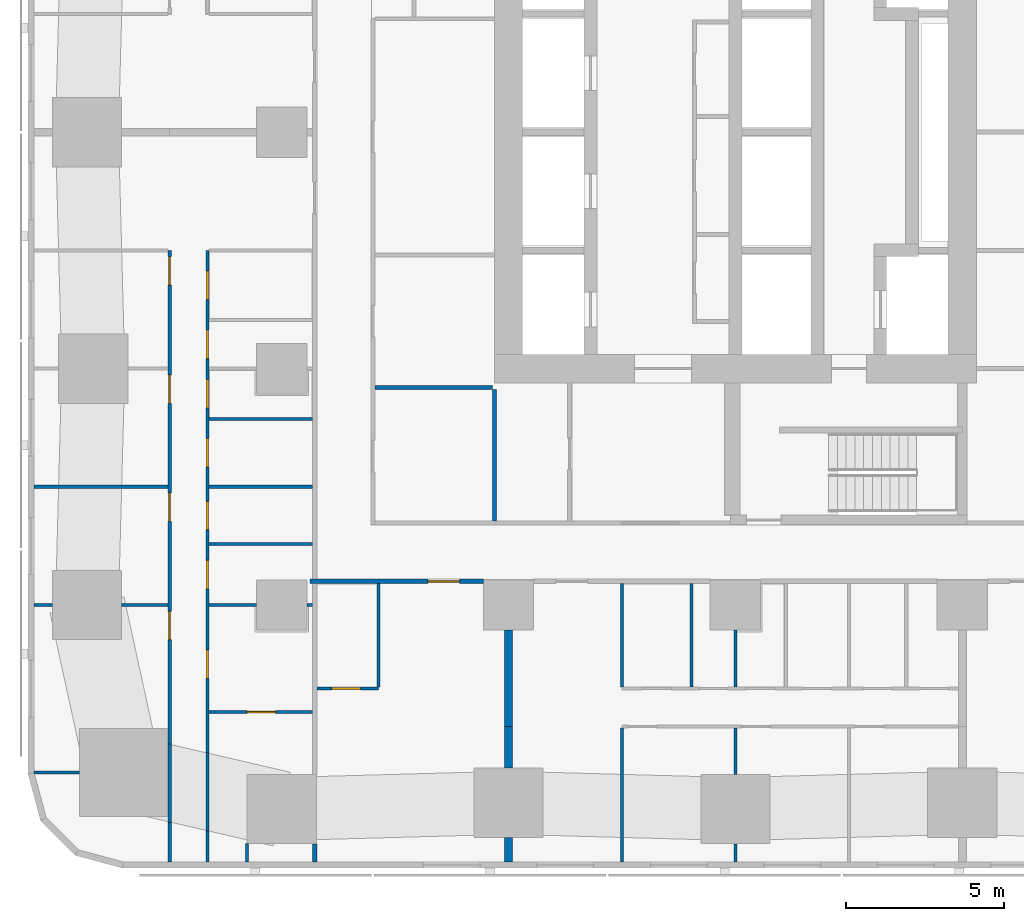
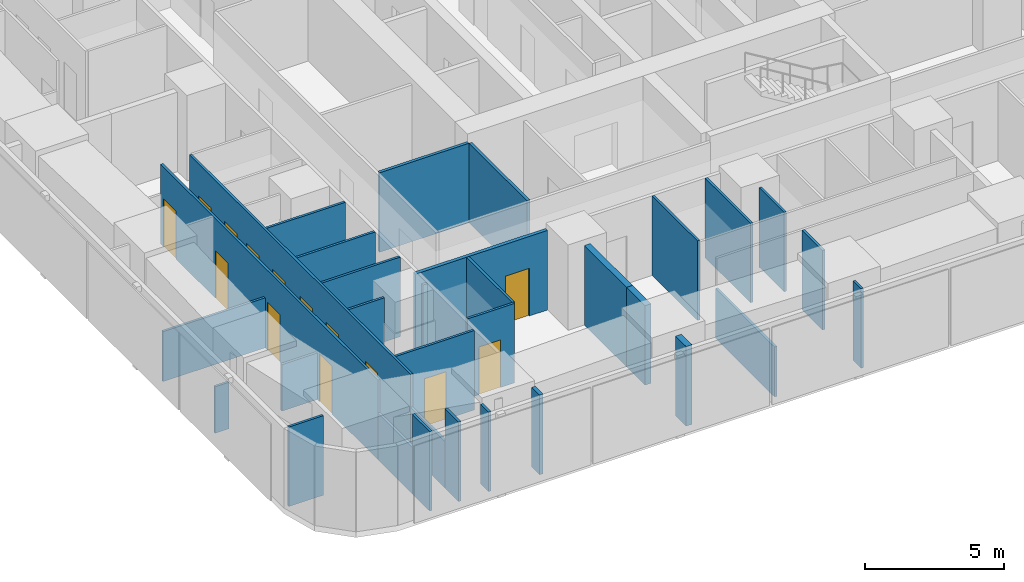
# One storey, part 2 of 15: 32 walls, 14 doors, 14 openings.
"""IFC4 building model written with IfcOpenShell, lengths in metres."""

from ifc_helpers import new_model, si_unit, direction, frame, frame_2d, origin, place, context, subcontext, project, spatial, rectangle, extrude, material, layer, layer_set, type_object, element, fill, save


model = new_model("IFC4")

# Units and contexts
model_context = context("Model", 3, precision=1e-05, world=origin(), true_north=direction((0.0, 1.0)))
body_context = subcontext(model_context, "Body", "Model", "MODEL_VIEW")
ifc_project = project(units=[si_unit("LENGTHUNIT", "METRE"), si_unit("AREAUNIT", "SQUARE_METRE"), si_unit("VOLUMEUNIT", "CUBIC_METRE"), si_unit("PLANEANGLEUNIT", "RADIAN"), si_unit("MASSUNIT", "GRAM", prefix="KILO")], contexts=[model_context])

# Site, building, storey
site_placement = place(None, origin())
site = spatial("IfcSite", under=ifc_project, at=site_placement, CompositionType="ELEMENT")
building_placement = place(site_placement, origin())
building = spatial("IfcBuilding", under=site, at=building_placement, Name="Sheger Commons Tower", CompositionType="ELEMENT")
storey_placement = place(building_placement, frame((0.0, 0.0, 81.64990234375)))
storey = spatial("IfcBuildingStorey", under=building, at=storey_placement, Name="L20", CompositionType="ELEMENT", Elevation=81.64990234375)

# Wall
ifc_material_1 = material(Name="Hollow concrete block masonry, skimmed both sides", Category="masonry")
ifc_layer_1 = layer(ifc_material_1, 0.14990234375)
ifc_layer_set_1 = layer_set([ifc_layer_1], Name="CORRIDOR WALL 150")
wall_type_1 = type_object("IfcWallType", Name="CORRIDOR WALL 150", PredefinedType="SOLIDWALL", material=ifc_layer_set_1)
wall_1_placement = place(storey_placement, frame((8.25, -0.64990234375, 0.0), z_axis=(0.0, 0.0, 1.0), x_axis=(0.0, 1.0, 0.0)))
element("IfcWall", 1, at=wall_1_placement, inside=storey, type_object=wall_type_1, Name="Corridor wall L20", PredefinedType="SOLIDWALL", context=body_context, shape_type="SweptSolid", body=[
    extrude(rectangle(XDim=0.573974609375, YDim=0.14990234375, at=frame_2d((0.287109375, 0.0))), origin(), (0.0, 0.0, 1.0), 3.5),
])

# Wall, opening, door
wall_2_placement = place(storey_placement, frame((13.59912109375, 8.25, 0.0), z_axis=(0.0, 0.0, 1.0), x_axis=(-1.0, 0.0, 0.0)))
wall_2 = element("IfcWall", 2, at=wall_2_placement, inside=storey, type_object=wall_type_1, Name="Corridor wall L20", PredefinedType="SOLIDWALL", context=body_context, shape_type="SweptSolid", body=[
    extrude(rectangle(XDim=5.4990234375, YDim=0.14990234375, at=frame_2d((2.74951171875, 0.0))), origin(), (0.0, 0.0, 1.0), 3.5),
])
opening_1_placement = place(wall_2_placement, frame((0.760009765625, 0.0, 0.0)))
opening_1 = element("IfcOpeningElement", 3, at=opening_1_placement, cuts=wall_2, Name="Opening D1", PredefinedType="OPENING", context=body_context, shape_type="SweptSolid", body=[
    extrude(rectangle(XDim=1.0, YDim=2.10009765625, at=frame_2d((0.5, 1.050048828125))), frame((0.0, 0.0849609375, 0.0), z_axis=(0.0, -1.0, 0.0), x_axis=(1.0, 0.0, 0.0)), (0.0, 0.0, 1.0), 0.169921875),
])
ifc_material_2 = material(Name="Steel door set, fire rated", Category="steel")
door_type_1 = type_object("IfcDoorType", Name="FLAT ENTRANCE DOOR 1000x2100", OperationType="NOTDEFINED", PredefinedType="DOOR", material=ifc_material_2)
door_1_placement = place(opening_1_placement, origin())
door_1 = element("IfcDoor", 4, at=door_1_placement, inside=storey, type_object=door_type_1, Name="Flat entrance door", OperationType="SINGLE_SWING_LEFT", OverallHeight=2.10009765625, OverallWidth=1.0, PredefinedType="DOOR", context=body_context, shape_type="SweptSolid", body=[
    extrude(rectangle(XDim=1.0, YDim=2.10009765625, at=frame_2d((0.5, 1.050048828125))), frame((0.0, 0.02490234375, 0.0), z_axis=(0.0, -1.0, 0.0), x_axis=(1.0, 0.0, 0.0)), (0.0, 0.0, 1.0), 0.050048828125),
])
fill(opening_1, door_1)

# Walls
ifc_material_3 = material(Name="Dense concrete block masonry, plastered both sides (separating wall between flats)", Category="masonry")
ifc_layer_2 = layer(ifc_material_3, 0.25)
ifc_layer_set_2 = layer_set([ifc_layer_2], Name="DEMISING WALL 250")
wall_type_2 = type_object("IfcWallType", Name="DEMISING WALL 250", PredefinedType="SOLIDWALL", material=ifc_layer_set_2)
wall_3_placement = place(storey_placement, frame((14.39990234375, -0.64990234375, 0.0), z_axis=(0.0, 0.0, 1.0), x_axis=(0.0, 1.0, 0.0)))
element("IfcWall", 5, at=wall_3_placement, inside=storey, type_object=wall_type_2, Name="Demising wall L20", PredefinedType="SOLIDWALL", context=body_context, shape_type="SweptSolid", body=[
    extrude(rectangle(XDim=0.77392578125, YDim=0.25, at=frame_2d((0.386962890625, 0.0))), origin(), (0.0, 0.0, 1.0), 3.5),
])
wall_4_placement = place(storey_placement, frame((14.39990234375, 2.325927734375, 0.0), z_axis=(0.0, 0.0, 1.0), x_axis=(0.0, 1.0, 0.0)))
element("IfcWall", 6, at=wall_4_placement, inside=storey, type_object=wall_type_2, Name="Demising wall L20", PredefinedType="SOLIDWALL", context=body_context, shape_type="SweptSolid", body=[
    extrude(rectangle(XDim=1.323974609375, YDim=0.25, at=frame_2d((0.662109375, 0.0))), origin(), (0.0, 0.0, 1.0), 3.5),
])
wall_5_placement = place(storey_placement, frame((14.39990234375, 3.64990234375, 0.0), z_axis=(0.0, 0.0, 1.0), x_axis=(0.0, 1.0, 0.0)))
element("IfcWall", 7, at=wall_5_placement, inside=storey, type_object=wall_type_2, Name="Demising wall L20", PredefinedType="SOLIDWALL", context=body_context, shape_type="SweptSolid", body=[
    extrude(rectangle(XDim=3.049072265625, YDim=0.25, at=frame_2d((1.5244140625, 0.0))), origin(), (0.0, 0.0, 1.0), 3.5),
])
ifc_material_4 = material(Name="Gypsum board on steel studs", Category="steel")
ifc_layer_3 = layer(ifc_material_4, 0.10009765625)
ifc_layer_set_3 = layer_set([ifc_layer_3], Name="PARTITION 100")
wall_type_3 = type_object("IfcWallType", Name="PARTITION 100", PredefinedType="PARTITIONING", material=ifc_layer_set_3)
wall_6_placement = place(storey_placement, frame((6.10009765625, -0.64990234375, 0.0), z_axis=(0.0, 0.0, 1.0), x_axis=(0.0, 1.0, 0.0)))
element("IfcWall", 8, at=wall_6_placement, inside=storey, type_object=wall_type_3, Name="Partition L20", PredefinedType="PARTITIONING", context=body_context, shape_type="SweptSolid", body=[
    extrude(rectangle(XDim=0.574951171875, YDim=0.10009765625, at=frame_2d((0.28759765625, 0.0))), origin(), (0.0, 0.0, 1.0), 3.5),
])
wall_7_placement = place(storey_placement, frame((3.64990234375, -0.64990234375, 0.0), z_axis=(0.0, 0.0, 1.0), x_axis=(0.0, 1.0, 0.0)))
element("IfcWall", 9, at=wall_7_placement, inside=storey, type_object=wall_type_3, Name="Partition L20", PredefinedType="PARTITIONING", context=body_context, shape_type="SweptSolid", body=[
    extrude(rectangle(XDim=1.25390625, YDim=0.10009765625, at=frame_2d((0.626953125, 0.0))), origin(), (0.0, 0.0, 1.0), 3.5),
])
wall_8_placement = place(storey_placement, frame((3.64990234375, 0.60400390625, 0.0), z_axis=(0.0, 0.0, 1.0), x_axis=(0.0, 1.0, 0.0)))
element("IfcWall", 10, at=wall_8_placement, inside=storey, type_object=wall_type_3, Name="Partition L20", PredefinedType="PARTITIONING", context=body_context, shape_type="SweptSolid", body=[
    extrude(rectangle(XDim=2.486083984375, YDim=0.10009765625, at=frame_2d((1.2431640625, 0.0))), origin(), (0.0, 0.0, 1.0), 2.050048828125),
])

# Wall, openings, doors
wall_9_placement = place(storey_placement, frame((3.64990234375, 3.090087890625, 0.0), z_axis=(0.0, 0.0, 1.0), x_axis=(0.0, 1.0, 0.0)))
wall_9 = element("IfcWall", 11, at=wall_9_placement, inside=storey, type_object=wall_type_3, Name="Partition L20", PredefinedType="PARTITIONING", context=body_context, shape_type="SweptSolid", body=[
    extrude(rectangle(XDim=15.659912109375, YDim=0.10009765625, at=frame_2d((7.830078125, 0.0))), origin(), (0.0, 0.0, 1.0), 3.5),
])
opening_2_placement = place(wall_9_placement, frame((14.56005859375, 0.0, 0.0)))
opening_2 = element("IfcOpeningElement", 12, at=opening_2_placement, cuts=wall_9, Name="Opening D2", PredefinedType="OPENING", context=body_context, shape_type="SweptSolid", body=[
    extrude(rectangle(XDim=0.89990234375, YDim=2.10009765625, at=frame_2d((0.449951171875, 1.050048828125))), frame((0.0, 0.06005859375, 0.0), z_axis=(0.0, -1.0, 0.0), x_axis=(1.0, 0.0, 0.0)), (0.0, 0.0, 1.0), 0.1201171875),
])
opening_3_placement = place(wall_9_placement, frame((10.81005859375, 0.0, 0.0)))
opening_3 = element("IfcOpeningElement", 13, at=opening_3_placement, cuts=wall_9, Name="Opening D2", PredefinedType="OPENING", context=body_context, shape_type="SweptSolid", body=[
    extrude(rectangle(XDim=0.89990234375, YDim=2.10009765625, at=frame_2d((0.449951171875, 1.050048828125))), frame((0.0, 0.06005859375, 0.0), z_axis=(0.0, -1.0, 0.0), x_axis=(1.0, 0.0, 0.0)), (0.0, 0.0, 1.0), 0.1201171875),
])
opening_4_placement = place(wall_9_placement, frame((7.06005859375, 0.0, 0.0)))
opening_4 = element("IfcOpeningElement", 14, at=opening_4_placement, cuts=wall_9, Name="Opening D2", PredefinedType="OPENING", context=body_context, shape_type="SweptSolid", body=[
    extrude(rectangle(XDim=0.89990234375, YDim=2.10009765625, at=frame_2d((0.449951171875, 1.050048828125))), frame((0.0, 0.06005859375, 0.0), z_axis=(0.0, -1.0, 0.0), x_axis=(1.0, 0.0, 0.0)), (0.0, 0.0, 1.0), 0.1201171875),
])
opening_5_placement = place(wall_9_placement, frame((3.31005859375, 0.0, 0.0)))
opening_5 = element("IfcOpeningElement", 15, at=opening_5_placement, cuts=wall_9, Name="Opening D2", PredefinedType="OPENING", context=body_context, shape_type="SweptSolid", body=[
    extrude(rectangle(XDim=0.89990234375, YDim=2.10009765625, at=frame_2d((0.449951171875, 1.050048828125))), frame((0.0, 0.06005859375, 0.0), z_axis=(0.0, -1.0, 0.0), x_axis=(1.0, 0.0, 0.0)), (0.0, 0.0, 1.0), 0.1201171875),
])
ifc_material_5 = material(Name="Timber door set", Category="wood")
door_type_2 = type_object("IfcDoorType", Name="INTERNAL DOOR 900x2100", OperationType="NOTDEFINED", PredefinedType="DOOR", material=ifc_material_5)
door_2_placement = place(opening_2_placement, origin())
door_2 = element("IfcDoor", 16, at=door_2_placement, inside=storey, type_object=door_type_2, Name="Main bedroom door", OperationType="SINGLE_SWING_RIGHT", OverallHeight=2.10009765625, OverallWidth=0.89990234375, PredefinedType="DOOR", context=body_context, shape_type="SweptSolid", body=[
    extrude(rectangle(XDim=0.89990234375, YDim=2.10009765625, at=frame_2d((0.449951171875, 1.050048828125))), frame((0.0, 0.02490234375, 0.0), z_axis=(0.0, -1.0, 0.0), x_axis=(1.0, 0.0, 0.0)), (0.0, 0.0, 1.0), 0.050048828125),
])
fill(opening_2, door_2)
door_3_placement = place(opening_3_placement, origin())
door_3 = element("IfcDoor", 17, at=door_3_placement, inside=storey, type_object=door_type_2, Name="Bedroom 2 door", OperationType="SINGLE_SWING_RIGHT", OverallHeight=2.10009765625, OverallWidth=0.89990234375, PredefinedType="DOOR", context=body_context, shape_type="SweptSolid", body=[
    extrude(rectangle(XDim=0.89990234375, YDim=2.10009765625, at=frame_2d((0.449951171875, 1.050048828125))), frame((0.0, 0.02490234375, 0.0), z_axis=(0.0, -1.0, 0.0), x_axis=(1.0, 0.0, 0.0)), (0.0, 0.0, 1.0), 0.050048828125),
])
fill(opening_3, door_3)
door_4_placement = place(opening_4_placement, origin())
door_4 = element("IfcDoor", 18, at=door_4_placement, inside=storey, type_object=door_type_2, Name="Bedroom 3 door", OperationType="SINGLE_SWING_RIGHT", OverallHeight=2.10009765625, OverallWidth=0.89990234375, PredefinedType="DOOR", context=body_context, shape_type="SweptSolid", body=[
    extrude(rectangle(XDim=0.89990234375, YDim=2.10009765625, at=frame_2d((0.449951171875, 1.050048828125))), frame((0.0, 0.02490234375, 0.0), z_axis=(0.0, -1.0, 0.0), x_axis=(1.0, 0.0, 0.0)), (0.0, 0.0, 1.0), 0.050048828125),
])
fill(opening_4, door_4)
door_5_placement = place(opening_5_placement, origin())
door_5 = element("IfcDoor", 19, at=door_5_placement, inside=storey, type_object=door_type_2, Name="Bedroom 4 door", OperationType="SINGLE_SWING_RIGHT", OverallHeight=2.10009765625, OverallWidth=0.89990234375, PredefinedType="DOOR", context=body_context, shape_type="SweptSolid", body=[
    extrude(rectangle(XDim=0.89990234375, YDim=2.10009765625, at=frame_2d((0.449951171875, 1.050048828125))), frame((0.0, 0.02490234375, 0.0), z_axis=(0.0, -1.0, 0.0), x_axis=(1.0, 0.0, 0.0)), (0.0, 0.0, 1.0), 0.050048828125),
])
fill(opening_5, door_5)

# Walls
wall_10_placement = place(storey_placement, frame((4.85009765625, -0.64990234375, 0.0), z_axis=(0.0, 0.0, 1.0), x_axis=(0.0, 1.0, 0.0)))
element("IfcWall", 20, at=wall_10_placement, inside=storey, type_object=wall_type_3, Name="Partition L20", PredefinedType="PARTITIONING", context=body_context, shape_type="SweptSolid", body=[
    extrude(rectangle(XDim=0.975830078125, YDim=0.10009765625, at=frame_2d((0.48779296875, 0.0))), origin(), (0.0, 0.0, 1.0), 3.5),
])
wall_11_placement = place(storey_placement, frame((4.85009765625, 0.325927734375, 0.0), z_axis=(0.0, 0.0, 1.0), x_axis=(0.0, 1.0, 0.0)))
element("IfcWall", 21, at=wall_11_placement, inside=storey, type_object=wall_type_3, Name="Partition L20", PredefinedType="PARTITIONING", context=body_context, shape_type="SweptSolid", body=[
    extrude(rectangle(XDim=2.486083984375, YDim=0.10009765625, at=frame_2d((1.2431640625, 0.0))), origin(), (0.0, 0.0, 1.0), 2.050048828125),
])

# Wall, openings, doors
wall_12_placement = place(storey_placement, frame((4.85009765625, 2.81201171875, 0.0), z_axis=(0.0, 0.0, 1.0), x_axis=(0.0, 1.0, 0.0)))
wall_12 = element("IfcWall", 22, at=wall_12_placement, inside=storey, type_object=wall_type_3, Name="Partition L20", PredefinedType="PARTITIONING", context=body_context, shape_type="SweptSolid", body=[
    extrude(rectangle(XDim=15.93798828125, YDim=0.10009765625, at=frame_2d((7.968994140625, 0.0))), origin(), (0.0, 0.0, 1.0), 3.5),
])
opening_6_placement = place(wall_12_placement, frame((14.383056640625, 0.0, 0.0)))
opening_6 = element("IfcOpeningElement", 23, at=opening_6_placement, cuts=wall_12, Name="Opening D2", PredefinedType="OPENING", context=body_context, shape_type="SweptSolid", body=[
    extrude(rectangle(XDim=0.89990234375, YDim=2.10009765625, at=frame_2d((0.449951171875, 1.050048828125))), frame((0.0, 0.06005859375, 0.0), z_axis=(0.0, -1.0, 0.0), x_axis=(1.0, 0.0, 0.0)), (0.0, 0.0, 1.0), 0.1201171875),
])
opening_7_placement = place(wall_12_placement, frame((10.93798828125, 0.0, 0.0)))
opening_7 = element("IfcOpeningElement", 24, at=opening_7_placement, cuts=wall_12, Name="Opening D2", PredefinedType="OPENING", context=body_context, shape_type="SweptSolid", body=[
    extrude(rectangle(XDim=0.89990234375, YDim=2.10009765625, at=frame_2d((0.449951171875, 1.050048828125))), frame((0.0, 0.06005859375, 0.0), z_axis=(0.0, -1.0, 0.0), x_axis=(1.0, 0.0, 0.0)), (0.0, 0.0, 1.0), 0.1201171875),
])
opening_8_placement = place(wall_12_placement, frame((7.077880859375, 0.0, 0.0)))
opening_8 = element("IfcOpeningElement", 25, at=opening_8_placement, cuts=wall_12, Name="Opening D2", PredefinedType="OPENING", context=body_context, shape_type="SweptSolid", body=[
    extrude(rectangle(XDim=0.89990234375, YDim=2.10009765625, at=frame_2d((0.449951171875, 1.050048828125))), frame((0.0, 0.06005859375, 0.0), z_axis=(0.0, -1.0, 0.0), x_axis=(1.0, 0.0, 0.0)), (0.0, 0.0, 1.0), 0.1201171875),
])
opening_9_placement = place(wall_12_placement, frame((2.363037109375, 0.0, 0.0)))
opening_9 = element("IfcOpeningElement", 26, at=opening_9_placement, cuts=wall_12, Name="Opening D2", PredefinedType="OPENING", context=body_context, shape_type="SweptSolid", body=[
    extrude(rectangle(XDim=0.89990234375, YDim=2.10009765625, at=frame_2d((0.449951171875, 1.050048828125))), frame((0.0, 0.06005859375, 0.0), z_axis=(0.0, -1.0, 0.0), x_axis=(1.0, 0.0, 0.0)), (0.0, 0.0, 1.0), 0.1201171875),
])
opening_10_placement = place(wall_12_placement, frame((12.508056640625, 0.0, 0.0)))
opening_10 = element("IfcOpeningElement", 27, at=opening_10_placement, cuts=wall_12, Name="Opening D2", PredefinedType="OPENING", context=body_context, shape_type="SweptSolid", body=[
    extrude(rectangle(XDim=0.89990234375, YDim=2.10009765625, at=frame_2d((0.449951171875, 1.050048828125))), frame((0.0, 0.06005859375, 0.0), z_axis=(0.0, -1.0, 0.0), x_axis=(1.0, 0.0, 0.0)), (0.0, 0.0, 1.0), 0.1201171875),
])
opening_11_placement = place(wall_12_placement, frame((9.06298828125, 0.0, 0.0)))
opening_11 = element("IfcOpeningElement", 28, at=opening_11_placement, cuts=wall_12, Name="Opening D2", PredefinedType="OPENING", context=body_context, shape_type="SweptSolid", body=[
    extrude(rectangle(XDim=0.89990234375, YDim=2.10009765625, at=frame_2d((0.449951171875, 1.050048828125))), frame((0.0, 0.06005859375, 0.0), z_axis=(0.0, -1.0, 0.0), x_axis=(1.0, 0.0, 0.0)), (0.0, 0.0, 1.0), 0.1201171875),
])
opening_12_placement = place(wall_12_placement, frame((5.202880859375, 0.0, 0.0)))
opening_12 = element("IfcOpeningElement", 29, at=opening_12_placement, cuts=wall_12, Name="Opening D2", PredefinedType="OPENING", context=body_context, shape_type="SweptSolid", body=[
    extrude(rectangle(XDim=0.89990234375, YDim=2.10009765625, at=frame_2d((0.449951171875, 1.050048828125))), frame((0.0, 0.06005859375, 0.0), z_axis=(0.0, -1.0, 0.0), x_axis=(1.0, 0.0, 0.0)), (0.0, 0.0, 1.0), 0.1201171875),
])
door_6_placement = place(opening_6_placement, origin())
door_6 = element("IfcDoor", 30, at=door_6_placement, inside=storey, type_object=door_type_2, Name="Bathroom door", OperationType="SINGLE_SWING_LEFT", OverallHeight=2.10009765625, OverallWidth=0.89990234375, PredefinedType="DOOR", context=body_context, shape_type="SweptSolid", body=[
    extrude(rectangle(XDim=0.89990234375, YDim=2.10009765625, at=frame_2d((0.449951171875, 1.050048828125))), frame((0.0, 0.02490234375, 0.0), z_axis=(0.0, -1.0, 0.0), x_axis=(1.0, 0.0, 0.0)), (0.0, 0.0, 1.0), 0.050048828125),
])
fill(opening_6, door_6)
door_7_placement = place(opening_7_placement, origin())
door_7 = element("IfcDoor", 31, at=door_7_placement, inside=storey, type_object=door_type_2, Name="Shower room door", OperationType="SINGLE_SWING_RIGHT", OverallHeight=2.10009765625, OverallWidth=0.89990234375, PredefinedType="DOOR", context=body_context, shape_type="SweptSolid", body=[
    extrude(rectangle(XDim=0.89990234375, YDim=2.10009765625, at=frame_2d((0.449951171875, 1.050048828125))), frame((0.0, 0.02490234375, 0.0), z_axis=(0.0, -1.0, 0.0), x_axis=(1.0, 0.0, 0.0)), (0.0, 0.0, 1.0), 0.050048828125),
])
fill(opening_7, door_7)
door_8_placement = place(opening_8_placement, origin())
door_8 = element("IfcDoor", 32, at=door_8_placement, inside=storey, type_object=door_type_2, Name="Laundry room door", OperationType="SINGLE_SWING_RIGHT", OverallHeight=2.10009765625, OverallWidth=0.89990234375, PredefinedType="DOOR", context=body_context, shape_type="SweptSolid", body=[
    extrude(rectangle(XDim=0.89990234375, YDim=2.10009765625, at=frame_2d((0.449951171875, 1.050048828125))), frame((0.0, 0.02490234375, 0.0), z_axis=(0.0, -1.0, 0.0), x_axis=(1.0, 0.0, 0.0)), (0.0, 0.0, 1.0), 0.050048828125),
])
fill(opening_8, door_8)
door_9_placement = place(opening_9_placement, origin())
door_9 = element("IfcDoor", 33, at=door_9_placement, inside=storey, type_object=door_type_2, Name="Store and laundry door", OperationType="SINGLE_SWING_RIGHT", OverallHeight=2.10009765625, OverallWidth=0.89990234375, PredefinedType="DOOR", context=body_context, shape_type="SweptSolid", body=[
    extrude(rectangle(XDim=0.89990234375, YDim=2.10009765625, at=frame_2d((0.449951171875, 1.050048828125))), frame((0.0, 0.02490234375, 0.0), z_axis=(0.0, -1.0, 0.0), x_axis=(1.0, 0.0, 0.0)), (0.0, 0.0, 1.0), 0.050048828125),
])
fill(opening_9, door_9)
door_10_placement = place(opening_10_placement, origin())
door_10 = element("IfcDoor", 34, at=door_10_placement, inside=storey, type_object=door_type_2, Name="Store door", OperationType="SINGLE_SWING_LEFT", OverallHeight=2.10009765625, OverallWidth=0.89990234375, PredefinedType="DOOR", context=body_context, shape_type="SweptSolid", body=[
    extrude(rectangle(XDim=0.89990234375, YDim=2.10009765625, at=frame_2d((0.449951171875, 1.050048828125))), frame((0.0, 0.02490234375, 0.0), z_axis=(0.0, -1.0, 0.0), x_axis=(1.0, 0.0, 0.0)), (0.0, 0.0, 1.0), 0.050048828125),
])
fill(opening_10, door_10)
door_11_placement = place(opening_11_placement, origin())
door_11 = element("IfcDoor", 35, at=door_11_placement, inside=storey, type_object=door_type_2, Name="Store door", OperationType="SINGLE_SWING_LEFT", OverallHeight=2.10009765625, OverallWidth=0.89990234375, PredefinedType="DOOR", context=body_context, shape_type="SweptSolid", body=[
    extrude(rectangle(XDim=0.89990234375, YDim=2.10009765625, at=frame_2d((0.449951171875, 1.050048828125))), frame((0.0, 0.02490234375, 0.0), z_axis=(0.0, -1.0, 0.0), x_axis=(1.0, 0.0, 0.0)), (0.0, 0.0, 1.0), 0.050048828125),
])
fill(opening_11, door_11)
door_12_placement = place(opening_12_placement, origin())
door_12 = element("IfcDoor", 36, at=door_12_placement, inside=storey, type_object=door_type_2, Name="Store door", OperationType="SINGLE_SWING_RIGHT", OverallHeight=2.10009765625, OverallWidth=0.89990234375, PredefinedType="DOOR", context=body_context, shape_type="SweptSolid", body=[
    extrude(rectangle(XDim=0.89990234375, YDim=2.10009765625, at=frame_2d((0.449951171875, 1.050048828125))), frame((0.0, 0.02490234375, 0.0), z_axis=(0.0, -1.0, 0.0), x_axis=(1.0, 0.0, 0.0)), (0.0, 0.0, 1.0), 0.050048828125),
])
fill(opening_12, door_12)

# Walls
wall_13_placement = place(storey_placement, frame((-0.64990234375, 2.18603515625, 0.0), z_axis=(0.0, 0.0, 1.0), x_axis=(1.0, 0.0, 0.0)))
element("IfcWall", 37, at=wall_13_placement, inside=storey, type_object=wall_type_3, Name="Partition L20", PredefinedType="PARTITIONING", context=body_context, shape_type="SweptSolid", body=[
    extrude(rectangle(XDim=1.434814453125, YDim=0.10009765625, at=frame_2d((0.71728515625, 0.0))), origin(), (0.0, 0.0, 1.0), 3.5),
])
wall_14_placement = place(storey_placement, frame((-0.64990234375, 7.5, 0.0), z_axis=(0.0, 0.0, 1.0), x_axis=(1.0, 0.0, 0.0)))
element("IfcWall", 38, at=wall_14_placement, inside=storey, type_object=wall_type_3, Name="Partition L20", PredefinedType="PARTITIONING", context=body_context, shape_type="SweptSolid", body=[
    extrude(rectangle(XDim=0.573974609375, YDim=0.10009765625, at=frame_2d((0.287109375, 0.0))), origin(), (0.0, 0.0, 1.0), 2.050048828125),
])
wall_15_placement = place(storey_placement, frame((2.1259765625, 7.5, 0.0), z_axis=(0.0, 0.0, 1.0), x_axis=(1.0, 0.0, 0.0)))
element("IfcWall", 39, at=wall_15_placement, inside=storey, type_object=wall_type_3, Name="Partition L20", PredefinedType="PARTITIONING", context=body_context, shape_type="SweptSolid", body=[
    extrude(rectangle(XDim=1.47412109375, YDim=0.10009765625, at=frame_2d((0.737060546875, 0.0))), origin(), (0.0, 0.0, 1.0), 2.050048828125),
])
wall_16_placement = place(storey_placement, frame((-0.64990234375, 11.25, 0.0), z_axis=(0.0, 0.0, 1.0), x_axis=(1.0, 0.0, 0.0)))
element("IfcWall", 40, at=wall_16_placement, inside=storey, type_object=wall_type_3, Name="Partition L20", PredefinedType="PARTITIONING", context=body_context, shape_type="SweptSolid", body=[
    extrude(rectangle(XDim=4.25, YDim=0.10009765625, at=frame_2d((2.125, 0.0))), origin(), (0.0, 0.0, 1.0), 2.2001953125),
])
wall_17_placement = place(storey_placement, frame((4.89990234375, 7.5, 0.0), z_axis=(0.0, 0.0, 1.0), x_axis=(1.0, 0.0, 0.0)))
element("IfcWall", 41, at=wall_17_placement, inside=storey, type_object=wall_type_3, Name="Partition L20", PredefinedType="PARTITIONING", context=body_context, shape_type="SweptSolid", body=[
    extrude(rectangle(XDim=1.4990234375, YDim=0.10009765625, at=frame_2d((0.74951171875, 0.0))), origin(), (0.0, 0.0, 1.0), 3.5),
])
wall_18_placement = place(storey_placement, frame((8.0009765625, 7.5, 0.0), z_axis=(0.0, 0.0, 1.0), x_axis=(1.0, 0.0, 0.0)))
element("IfcWall", 42, at=wall_18_placement, inside=storey, type_object=wall_type_3, Name="Partition L20", PredefinedType="PARTITIONING", context=body_context, shape_type="SweptSolid", body=[
    extrude(rectangle(XDim=0.174072265625, YDim=0.10009765625, at=frame_2d((0.0869140625, 0.0))), origin(), (0.0, 0.0, 1.0), 3.5),
])
for number, where, z_axis, x_axis, name in (
    (43, (4.89990234375, 11.25, 0.0), (0.0, 0.0, 1.0), (1.0, 0.0, 0.0), "Partition L20"),
    (44, (4.89990234375, 13.39990234375, 0.0), (0.0, 0.0, 1.0), (1.0, 0.0, 0.0), "Partition L20"),
    (45, (4.89990234375, 9.429931640625, 0.0), (0.0, 0.0, 1.0), (1.0, 0.0, 0.0), "Partition L20"),
):
    element("IfcWall", number, at=place(storey_placement, frame(where, z_axis=z_axis, x_axis=x_axis)), inside=storey, type_object=wall_type_3, Name=name, PredefinedType="PARTITIONING", context=body_context, shape_type="SweptSolid", body=[
        extrude(rectangle(XDim=3.275146484375, YDim=0.10009765625, at=frame_2d((1.6376953125, 0.0))), origin(), (0.0, 0.0, 1.0), 3.5),
    ])

# Wall, opening, door
wall_19_placement = place(storey_placement, frame((10.279052734375, 4.85009765625, 0.0), z_axis=(0.0, 0.0, 1.0), x_axis=(-1.0, 0.0, 0.0)))
wall_19 = element("IfcWall", 46, at=wall_19_placement, inside=storey, type_object=wall_type_3, Name="Partition L20", PredefinedType="PARTITIONING", context=body_context, shape_type="SweptSolid", body=[
    extrude(rectangle(XDim=1.9541015625, YDim=0.10009765625, at=frame_2d((0.97705078125, 0.0))), origin(), (0.0, 0.0, 1.0), 3.5),
])
opening_13_placement = place(wall_19_placement, frame((0.5791015625, 0.0, 0.0)))
opening_13 = element("IfcOpeningElement", 47, at=opening_13_placement, cuts=wall_19, Name="Opening D2", PredefinedType="OPENING", context=body_context, shape_type="SweptSolid", body=[
    extrude(rectangle(XDim=0.89990234375, YDim=2.10009765625, at=frame_2d((0.449951171875, 1.050048828125))), frame((0.0, 0.06005859375, 0.0), z_axis=(0.0, -1.0, 0.0), x_axis=(1.0, 0.0, 0.0)), (0.0, 0.0, 1.0), 0.1201171875),
])
door_13_placement = place(opening_13_placement, origin())
door_13 = element("IfcDoor", 48, at=door_13_placement, inside=storey, type_object=door_type_2, Name="Shower room door", OperationType="SINGLE_SWING_LEFT", OverallHeight=2.10009765625, OverallWidth=0.89990234375, PredefinedType="DOOR", context=body_context, shape_type="SweptSolid", body=[
    extrude(rectangle(XDim=0.89990234375, YDim=2.10009765625, at=frame_2d((0.449951171875, 1.050048828125))), frame((0.0, 0.02490234375, 0.0), z_axis=(0.0, -1.0, 0.0), x_axis=(1.0, 0.0, 0.0)), (0.0, 0.0, 1.0), 0.050048828125),
])
fill(opening_13, door_13)

# Walls
wall_20_placement = place(storey_placement, frame((10.279052734375, 4.89990234375, 0.0), z_axis=(0.0, 0.0, 1.0), x_axis=(0.0, 1.0, 0.0)))
element("IfcWall", 49, at=wall_20_placement, inside=storey, type_object=wall_type_3, Name="Partition L20", PredefinedType="PARTITIONING", context=body_context, shape_type="SweptSolid", body=[
    extrude(rectangle(XDim=3.275146484375, YDim=0.10009765625, at=frame_2d((1.6376953125, 0.0))), origin(), (0.0, 0.0, 1.0), 3.5),
])
wall_21_placement = place(storey_placement, frame((18.0, -0.64990234375, 0.0), z_axis=(0.0, 0.0, 1.0), x_axis=(0.0, 1.0, 0.0)))
element("IfcWall", 50, at=wall_21_placement, inside=storey, type_object=wall_type_3, Name="Partition L20", PredefinedType="PARTITIONING", context=body_context, shape_type="SweptSolid", body=[
    extrude(rectangle(XDim=4.25, YDim=0.10009765625, at=frame_2d((2.125, 0.0))), origin(), (0.0, 0.0, 1.0), 2.2001953125),
])
wall_22_placement = place(storey_placement, frame((21.60009765625, -0.64990234375, 0.0), z_axis=(0.0, 0.0, 1.0), x_axis=(0.0, 1.0, 0.0)))
element("IfcWall", 51, at=wall_22_placement, inside=storey, type_object=wall_type_3, Name="Partition L20", PredefinedType="PARTITIONING", context=body_context, shape_type="SweptSolid", body=[
    extrude(rectangle(XDim=0.573974609375, YDim=0.10009765625, at=frame_2d((0.287109375, 0.0))), origin(), (0.0, 0.0, 1.0), 3.5),
])
wall_23_placement = place(storey_placement, frame((21.60009765625, 2.1259765625, 0.0), z_axis=(0.0, 0.0, 1.0), x_axis=(0.0, 1.0, 0.0)))
element("IfcWall", 52, at=wall_23_placement, inside=storey, type_object=wall_type_3, Name="Partition L20", PredefinedType="PARTITIONING", context=body_context, shape_type="SweptSolid", body=[
    extrude(rectangle(XDim=1.47412109375, YDim=0.10009765625, at=frame_2d((0.737060546875, 0.0))), origin(), (0.0, 0.0, 1.0), 3.5),
])
wall_24_placement = place(storey_placement, frame((18.0, 4.89990234375, 0.0), z_axis=(0.0, 0.0, 1.0), x_axis=(0.0, 1.0, 0.0)))
element("IfcWall", 53, at=wall_24_placement, inside=storey, type_object=wall_type_3, Name="Partition L20", PredefinedType="PARTITIONING", context=body_context, shape_type="SweptSolid", body=[
    extrude(rectangle(XDim=3.275146484375, YDim=0.10009765625, at=frame_2d((1.6376953125, 0.0))), origin(), (0.0, 0.0, 1.0), 3.5),
])
wall_25_placement = place(storey_placement, frame((21.60009765625, 4.89990234375, 0.0), z_axis=(0.0, 0.0, 1.0), x_axis=(0.0, 1.0, 0.0)))
element("IfcWall", 54, at=wall_25_placement, inside=storey, type_object=wall_type_3, Name="Partition L20", PredefinedType="PARTITIONING", context=body_context, shape_type="SweptSolid", body=[
    extrude(rectangle(XDim=1.799072265625, YDim=0.10009765625, at=frame_2d((0.8994140625, 0.0))), origin(), (0.0, 0.0, 1.0), 3.5),
])
wall_26_placement = place(storey_placement, frame((20.2099609375, 4.89990234375, 0.0), z_axis=(0.0, 0.0, 1.0), x_axis=(0.0, 1.0, 0.0)))
element("IfcWall", 55, at=wall_26_placement, inside=storey, type_object=wall_type_3, Name="Partition L20", PredefinedType="PARTITIONING", context=body_context, shape_type="SweptSolid", body=[
    extrude(rectangle(XDim=3.275146484375, YDim=0.10009765625, at=frame_2d((1.6376953125, 0.0))), origin(), (0.0, 0.0, 1.0), 3.5),
])

# Wall, opening, door
wall_27_placement = place(storey_placement, frame((8.175048828125, 4.10009765625, 0.0), z_axis=(0.0, 0.0, 1.0), x_axis=(-1.0, 0.0, 0.0)))
wall_27 = element("IfcWall", 56, at=wall_27_placement, inside=storey, type_object=wall_type_3, Name="Partition L20", PredefinedType="PARTITIONING", context=body_context, shape_type="SweptSolid", body=[
    extrude(rectangle(XDim=3.275146484375, YDim=0.10009765625, at=frame_2d((1.6376953125, 0.0))), origin(), (0.0, 0.0, 1.0), 3.5),
])
opening_14_placement = place(wall_27_placement, frame((1.175048828125, 0.0, 0.0)))
opening_14 = element("IfcOpeningElement", 57, at=opening_14_placement, cuts=wall_27, Name="Opening D2", PredefinedType="OPENING", context=body_context, shape_type="SweptSolid", body=[
    extrude(rectangle(XDim=0.89990234375, YDim=2.10009765625, at=frame_2d((0.449951171875, 1.050048828125))), frame((0.0, 0.06005859375, 0.0), z_axis=(0.0, -1.0, 0.0), x_axis=(1.0, 0.0, 0.0)), (0.0, 0.0, 1.0), 0.1201171875),
])
door_14_placement = place(opening_14_placement, origin())
door_14 = element("IfcDoor", 58, at=door_14_placement, inside=storey, type_object=door_type_2, Name="Store door", OperationType="SINGLE_SWING_RIGHT", OverallHeight=2.10009765625, OverallWidth=0.89990234375, PredefinedType="DOOR", context=body_context, shape_type="SweptSolid", body=[
    extrude(rectangle(XDim=0.89990234375, YDim=2.10009765625, at=frame_2d((0.449951171875, 1.050048828125))), frame((0.0, 0.02490234375, 0.0), z_axis=(0.0, -1.0, 0.0), x_axis=(1.0, 0.0, 0.0)), (0.0, 0.0, 1.0), 0.050048828125),
])
fill(opening_14, door_14)

# Walls
ifc_material_6 = material(Name="Gypsum board on steel studs, two layers each side, fire rated", Category="steel")
ifc_layer_4 = layer(ifc_material_6, 0.125)
ifc_layer_set_4 = layer_set([ifc_layer_4], Name="SERVICE WALL 125")
wall_type_4 = type_object("IfcWallType", Name="SERVICE WALL 125", PredefinedType="PARTITIONING", material=ifc_layer_set_4)
wall_28_placement = place(storey_placement, frame((10.1630859375, 14.39990234375, 0.0), z_axis=(0.0, 0.0, 1.0), x_axis=(1.0, 0.0, 0.0)))
element("IfcWall", 59, at=wall_28_placement, inside=storey, type_object=wall_type_4, Name="Service room wall L20", PredefinedType="PARTITIONING", context=body_context, shape_type="SweptSolid", body=[
    extrude(rectangle(XDim=3.724853515625, YDim=0.125, at=frame_2d((1.8623046875, 0.0))), origin(), (0.0, 0.0, 1.0), 3.5),
])
wall_29_placement = place(storey_placement, frame((13.949951171875, 10.1630859375, 0.0), z_axis=(0.0, 0.0, 1.0), x_axis=(0.0, 1.0, 0.0)))
element("IfcWall", 60, at=wall_29_placement, inside=storey, type_object=wall_type_4, Name="Service room wall L20", PredefinedType="PARTITIONING", context=body_context, shape_type="SweptSolid", body=[
    extrude(rectangle(XDim=4.1748046875, YDim=0.125, at=frame_2d((2.08740234375, 0.0))), origin(), (0.0, 0.0, 1.0), 3.5),
])

save(model, "model.ifc")
